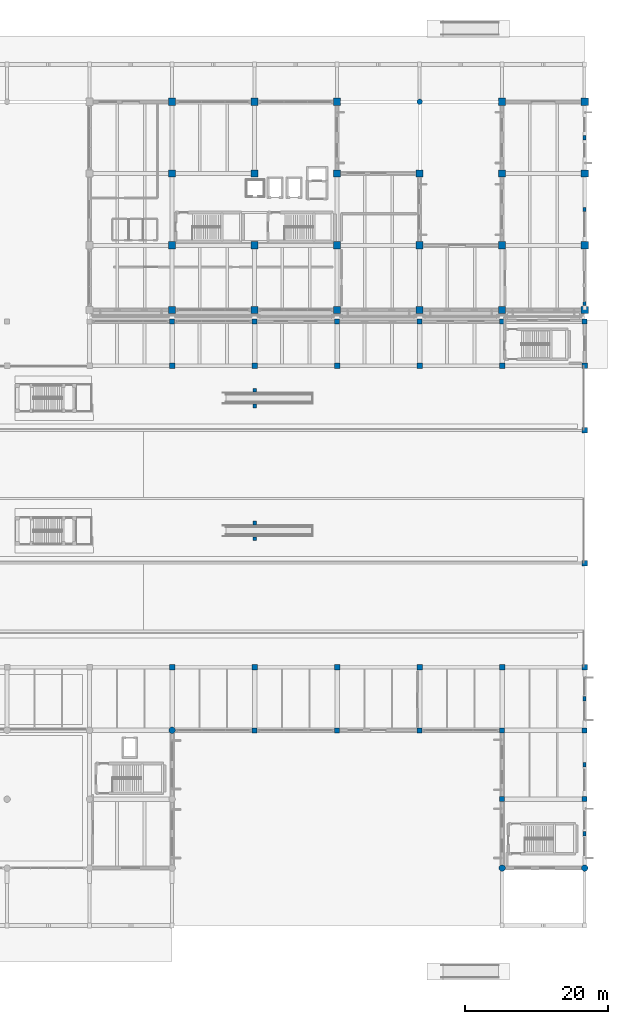
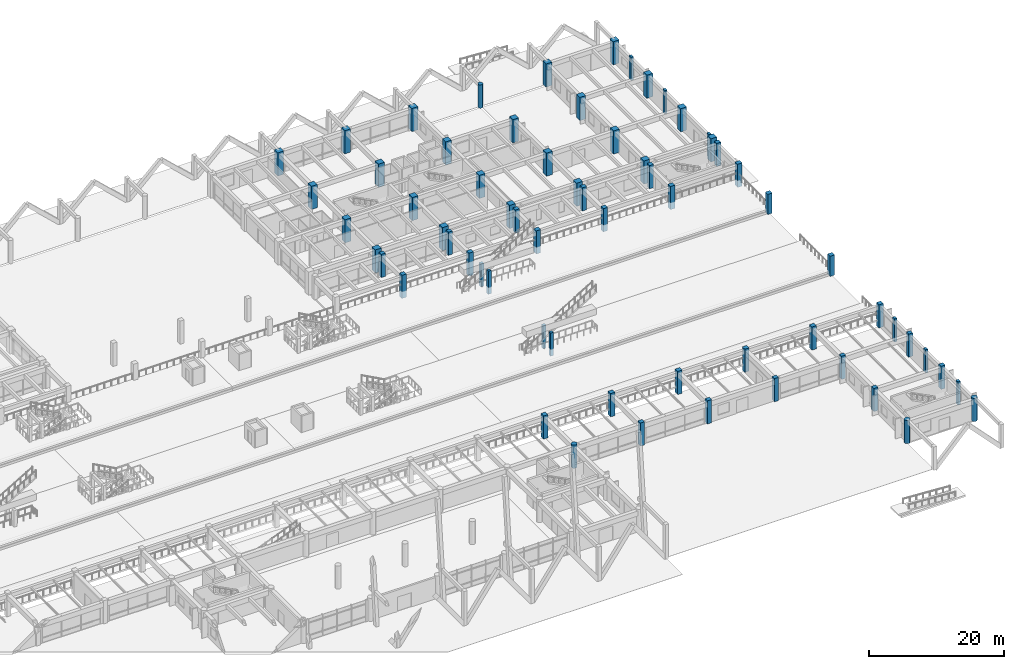
# One storey, part 2 of 109: 64 columns.
"""IFC4 building model written with IfcOpenShell, lengths in metres."""

from ifc_helpers import new_model, si_unit, direction, frame, origin, origin_2d, place, context, subcontext, project, spatial, rectangle, circle, extrude, material, material_profile, profile_set, type_object, element, save


model = new_model("IFC4")

# Units and contexts
model_context = context("Model", 3, precision=1e-05, world=origin(), true_north=direction((0.0, 1.0)))
body_context = subcontext(model_context, "Body", "Model", "MODEL_VIEW")
ifc_project = project(units=[si_unit("LENGTHUNIT", "METRE"), si_unit("AREAUNIT", "SQUARE_METRE"), si_unit("VOLUMEUNIT", "CUBIC_METRE"), si_unit("PLANEANGLEUNIT", "RADIAN"), si_unit("MASSUNIT", "GRAM", prefix="KILO")], contexts=[model_context])

# Site, building, storey
site_placement = place(None, origin())
site = spatial("IfcSite", under=ifc_project, at=site_placement, CompositionType="ELEMENT")
building_placement = place(site_placement, origin())
building = spatial("IfcBuilding", under=site, at=building_placement, Name="Ologun Quay Terminus", CompositionType="ELEMENT")
storey_placement = place(building_placement, origin())
storey = spatial("IfcBuildingStorey", under=building, at=storey_placement, Name="L00", CompositionType="ELEMENT", Elevation=0.0)

# Columns
ifc_material_1 = material(Name="Concrete C40/50", Category="concrete")
ifc_material_profile_1 = material_profile(ifc_material_1, rectangle(XDim=0.5, YDim=0.5, at=origin_2d()), Name="RC 500x500")
ifc_profile_set_1 = profile_set([ifc_material_profile_1], Name="Concrete C40/50")
column_type_1 = type_object("IfcColumnType", Name="Canopy Edge Column 500x500", PredefinedType="COLUMN", material=ifc_profile_set_1)
for number, where, z_axis, x_axis, name in (
    (1, (138.0, 53.89990234375, 0.0), (0.0, 0.0, 1.0), (1.0, 0.0, 0.0), "C8 Concourse Trimmer Column 13-1 L00"),
    (2, (138.0, 56.10009765625, 0.0), (0.0, 0.0, 1.0), (1.0, 0.0, 0.0), "C8 Concourse Trimmer Column 13-2 L00"),
    (3, (138.0, 72.39990234375, 0.0), (0.0, 0.0, 1.0), (1.0, 0.0, 0.0), "C8 Concourse Trimmer Column 13-3 L00"),
    (4, (138.0, 74.60009765625, 0.0), (0.0, 0.0, 1.0), (1.0, 0.0, 0.0), "C8 Concourse Trimmer Column 13-4 L00"),
):
    element("IfcColumn", number, at=place(storey_placement, frame(where, z_axis=z_axis, x_axis=x_axis)), inside=storey, type_object=column_type_1, Name=name, PredefinedType="COLUMN", context=body_context, shape_type="SweptSolid", body=[
        extrude(rectangle(XDim=0.5, YDim=0.5, at=origin_2d()), origin(), (0.0, 0.0, 1.0), 4.199951171875),
    ])
ifc_material_2 = material(Name="Concrete C45/55", Category="concrete")
ifc_material_profile_2 = material_profile(ifc_material_2, rectangle(XDim=1.0, YDim=1.0, at=origin_2d()), Name="RC 1000x1000")
ifc_profile_set_2 = profile_set([ifc_material_profile_2], Name="Concrete C45/55")
column_type_2 = type_object("IfcColumnType", Name="Courtyard Wing Mid-Lower Column 1000x1000", PredefinedType="COLUMN", material=ifc_profile_set_2)
for number, where, z_axis, x_axis, name in (
    (5, (126.5, 85.800048828125, 0.0), (0.0, 0.0, 1.0), (1.0, 0.0, 0.0), "C2 Column 12/G2 L00"),
    (6, (126.5, 94.800048828125, 0.0), (0.0, 0.0, 1.0), (1.0, 0.0, 0.0), "C2 Column 12/H L00"),
    (7, (126.5, 104.800048828125, 0.0), (0.0, 0.0, 1.0), (1.0, 0.0, 0.0), "C2 Column 12/J L00"),
    (8, (126.5, 114.800048828125, 0.0), (0.0, 0.0, 1.0), (1.0, 0.0, 0.0), "C2 Column 12/K L00"),
    (9, (138.0, 85.800048828125, 0.0), (0.0, 0.0, 1.0), (1.0, 0.0, 0.0), "C2 Column 13/G2 L00"),
    (10, (138.0, 94.800048828125, 0.0), (0.0, 0.0, 1.0), (1.0, 0.0, 0.0), "C2 Column 13/H L00"),
    (11, (138.0, 104.800048828125, 0.0), (0.0, 0.0, 1.0), (1.0, 0.0, 0.0), "C2 Column 13/J L00"),
    (12, (138.0, 114.800048828125, 0.0), (0.0, 0.0, 1.0), (1.0, 0.0, 0.0), "C2 Column 13/K L00"),
    (13, (149.5, 85.800048828125, 0.0), (0.0, 0.0, 1.0), (1.0, 0.0, 0.0), "C2 Column 14/G2 L00"),
    (14, (149.5, 94.800048828125, 0.0), (0.0, 0.0, 1.0), (1.0, 0.0, 0.0), "C2 Column 14/H L00"),
    (15, (149.5, 104.800048828125, 0.0), (0.0, 0.0, 1.0), (1.0, 0.0, 0.0), "C2 Column 14/J L00"),
    (16, (149.5, 114.800048828125, 0.0), (0.0, 0.0, 1.0), (1.0, 0.0, 0.0), "C2 Column 14/K L00"),
    (17, (161.0, 85.800048828125, 0.0), (0.0, 0.0, 1.0), (1.0, 0.0, 0.0), "C2 Column 15/G2 L00"),
    (18, (161.0, 94.800048828125, 0.0), (0.0, 0.0, 1.0), (1.0, 0.0, 0.0), "C2 Column 15/H L00"),
    (19, (161.0, 104.800048828125, 0.0), (0.0, 0.0, 1.0), (1.0, 0.0, 0.0), "C2 Column 15/J L00"),
    (20, (172.5, 85.800048828125, 0.0), (0.0, 0.0, 1.0), (1.0, 0.0, 0.0), "C2 Column 16/G2 L00"),
    (21, (172.5, 94.800048828125, 0.0), (0.0, 0.0, 1.0), (1.0, 0.0, 0.0), "C2 Column 16/H L00"),
    (22, (172.5, 104.800048828125, 0.0), (0.0, 0.0, 1.0), (1.0, 0.0, 0.0), "C2 Column 16/J L00"),
    (23, (172.5, 114.800048828125, 0.0), (0.0, 0.0, 1.0), (1.0, 0.0, 0.0), "C2 Column 16/K L00"),
    (24, (184.0, 85.800048828125, 0.0), (0.0, 0.0, 1.0), (1.0, 0.0, 0.0), "C2 Column 17/G2 L00"),
    (25, (184.0, 94.800048828125, 0.0), (0.0, 0.0, 1.0), (1.0, 0.0, 0.0), "C2 Column 17/H L00"),
    (26, (184.0, 104.800048828125, 0.0), (0.0, 0.0, 1.0), (1.0, 0.0, 0.0), "C2 Column 17/J L00"),
    (27, (184.0, 114.800048828125, 0.0), (0.0, 0.0, 1.0), (1.0, 0.0, 0.0), "C2 Column 17/K L00"),
):
    element("IfcColumn", number, at=place(storey_placement, frame(where, z_axis=z_axis, x_axis=x_axis)), inside=storey, type_object=column_type_2, Name=name, PredefinedType="COLUMN", context=body_context, shape_type="SweptSolid", body=[
        extrude(rectangle(XDim=1.0, YDim=1.0, at=origin_2d()), origin(), (0.0, 0.0, 1.0), 4.199951171875),
    ])
ifc_material_3 = material(Name="Concrete C40/50", Category="concrete")
ifc_material_profile_3 = material_profile(ifc_material_3, rectangle(XDim=0.39990234375, YDim=0.60009765625, at=origin_2d()), Name="RC 400x600")
ifc_profile_set_3 = profile_set([ifc_material_profile_3], Name="Concrete C40/50")
column_type_3 = type_object("IfcColumnType", Name="Podium Engaged Pilaster 400x600", PredefinedType="PILASTER", material=ifc_profile_set_3)
for number, where, z_axis, x_axis, name in (
    (28, (184.0, 12.800048828125, 0.0), (0.0, 0.0, 1.0), (1.0, 0.0, 0.0), "PL1 Engaged Pilaster E1"),
    (29, (184.0, 22.39990234375, 0.0), (0.0, 0.0, 1.0), (1.0, 0.0, 0.0), "PL1 Engaged Pilaster E2"),
    (30, (184.0, 31.60009765625, 0.0), (0.0, 0.0, 1.0), (1.0, 0.0, 0.0), "PL1 Engaged Pilaster E3"),
    (31, (184.0, 86.699951171875, 0.0), (0.0, 0.0, 1.0), (1.0, 0.0, 0.0), "PL1 Engaged Pilaster E4"),
    (32, (184.0, 99.800048828125, 0.0), (0.0, 0.0, 1.0), (1.0, 0.0, 0.0), "PL1 Engaged Pilaster E5"),
    (33, (184.0, 109.800048828125, 0.0), (0.0, 0.0, 1.0), (1.0, 0.0, 0.0), "PL1 Engaged Pilaster E6"),
):
    element("IfcColumn", number, at=place(storey_placement, frame(where, z_axis=z_axis, x_axis=x_axis)), inside=storey, type_object=column_type_3, Name=name, PredefinedType="PILASTER", context=body_context, shape_type="SweptSolid", body=[
        extrude(rectangle(XDim=0.39990234375, YDim=0.60009765625, at=origin_2d()), origin(), (0.0, 0.0, 1.0), 4.199951171875),
    ])
ifc_material_4 = material(Name="Concrete C40/50", Category="concrete")
ifc_material_profile_4 = material_profile(ifc_material_4, circle(Radius=0.375, at=origin_2d()), Name="RC D750")
ifc_profile_set_4 = profile_set([ifc_material_profile_4], Name="Concrete C40/50")
column_type_4 = type_object("IfcColumnType", Name="Promenade Colonnade Circular Column D750", PredefinedType="COLUMN", material=ifc_profile_set_4)
column_placement = place(storey_placement, frame((161.0, 114.800048828125, 0.0), z_axis=(0.0, 0.0, 1.0), x_axis=(1.0, 0.0, 0.0)))
element("IfcColumn", 34, at=column_placement, inside=storey, type_object=column_type_4, Name="C10 Harbour Colonnade Rear Column 15/K", PredefinedType="COLUMN", context=body_context, shape_type="SweptSolid", body=[
    extrude(circle(Radius=0.375, at=origin_2d()), origin(), (0.0, 0.0, 1.0), 4.219970703125),
])
ifc_material_5 = material(Name="Concrete C45/55", Category="concrete")
ifc_material_profile_5 = material_profile(ifc_material_5, rectangle(XDim=0.75, YDim=0.75, at=origin_2d()), Name="RC 750x750")
ifc_profile_set_5 = profile_set([ifc_material_profile_5], Name="Concrete C45/55")
column_type_5 = type_object("IfcColumnType", Name="Station Arch Pier Stem 750x750", PredefinedType="COLUMN", material=ifc_profile_set_5)
for number, where, z_axis, x_axis, name in (
    (35, (126.5, 36.0, 0.0), (0.0, 0.0, 1.0), (1.0, 0.0, 0.0), "C5 Column 12/E L00"),
    (36, (126.5, 78.0, 0.0), (0.0, 0.0, 1.0), (1.0, 0.0, 0.0), "C5 Column 12/F L00"),
    (37, (138.0, 36.0, 0.0), (0.0, 0.0, 1.0), (1.0, 0.0, 0.0), "C5 Column 13/E L00"),
    (38, (138.0, 78.0, 0.0), (0.0, 0.0, 1.0), (1.0, 0.0, 0.0), "C5 Column 13/F L00"),
    (39, (149.5, 36.0, 0.0), (0.0, 0.0, 1.0), (1.0, 0.0, 0.0), "C5 Column 14/E L00"),
    (40, (149.5, 78.0, 0.0), (0.0, 0.0, 1.0), (1.0, 0.0, 0.0), "C5 Column 14/F L00"),
    (41, (161.0, 36.0, 0.0), (0.0, 0.0, 1.0), (1.0, 0.0, 0.0), "C5 Column 15/E L00"),
    (42, (161.0, 78.0, 0.0), (0.0, 0.0, 1.0), (1.0, 0.0, 0.0), "C5 Column 15/F L00"),
    (43, (172.5, 36.0, 0.0), (0.0, 0.0, 1.0), (1.0, 0.0, 0.0), "C5 Column 16/E L00"),
    (44, (172.5, 78.0, 0.0), (0.0, 0.0, 1.0), (1.0, 0.0, 0.0), "C5 Column 16/F L00"),
    (45, (184.0, 36.0, 0.0), (0.0, 0.0, 1.0), (1.0, 0.0, 0.0), "C5 Column 17/E L00"),
    (46, (184.0, 78.0, 0.0), (0.0, 0.0, 1.0), (1.0, 0.0, 0.0), "C5 Column 17/F L00"),
):
    element("IfcColumn", number, at=place(storey_placement, frame(where, z_axis=z_axis, x_axis=x_axis)), inside=storey, type_object=column_type_5, Name=name, PredefinedType="COLUMN", context=body_context, shape_type="SweptSolid", body=[
        extrude(rectangle(XDim=0.75, YDim=0.75, at=origin_2d()), origin(), (0.0, 0.0, 1.0), 4.199951171875),
    ])
for number, where, z_axis, x_axis, name in (
    (47, (184.0, 50.5, 0.550048828125), (0.0, 0.0, 1.0), (1.0, 0.0, 0.0), "C5 Gable Mullion Column 17-Y50 L00"),
    (48, (184.0, 69.0, 0.550048828125), (0.0, 0.0, 1.0), (1.0, 0.0, 0.0), "C5 Gable Mullion Column 17-Y69 L00"),
):
    element("IfcColumn", number, at=place(storey_placement, frame(where, z_axis=z_axis, x_axis=x_axis)), inside=storey, type_object=column_type_5, Name=name, PredefinedType="COLUMN", context=body_context, shape_type="SweptSolid", body=[
        extrude(rectangle(XDim=0.75, YDim=0.75, at=origin_2d()), origin(), (0.0, 0.0, 1.0), 3.64990234375),
    ])
ifc_material_6 = material(Name="Concrete C40/50", Category="concrete")
ifc_material_profile_6 = material_profile(ifc_material_6, rectangle(XDim=0.699951171875, YDim=0.699951171875, at=origin_2d()), Name="RC 700x700")
ifc_profile_set_6 = profile_set([ifc_material_profile_6], Name="Concrete C40/50")
column_type_6 = type_object("IfcColumnType", Name="Station Concourse Column 700x700", PredefinedType="COLUMN", material=ifc_profile_set_6)
for number, where, z_axis, x_axis, name in (
    (49, (126.5, 84.199951171875, 0.0), (0.0, 0.0, 1.0), (1.0, 0.0, 0.0), "C6 Column 12/G1 L00"),
    (50, (138.0, 27.199951171875, 0.0), (0.0, 0.0, 1.0), (1.0, 0.0, 0.0), "C6 Column 13/D L00"),
    (51, (138.0, 84.199951171875, 0.0), (0.0, 0.0, 1.0), (1.0, 0.0, 0.0), "C6 Column 13/G1 L00"),
    (52, (149.5, 27.199951171875, 0.0), (0.0, 0.0, 1.0), (1.0, 0.0, 0.0), "C6 Column 14/D L00"),
    (53, (149.5, 84.199951171875, 0.0), (0.0, 0.0, 1.0), (1.0, 0.0, 0.0), "C6 Column 14/G1 L00"),
    (54, (161.0, 27.199951171875, 0.0), (0.0, 0.0, 1.0), (1.0, 0.0, 0.0), "C6 Column 15/D L00"),
    (55, (161.0, 84.199951171875, 0.0), (0.0, 0.0, 1.0), (1.0, 0.0, 0.0), "C6 Column 15/G1 L00"),
    (56, (172.5, 17.60009765625, 0.0), (0.0, 0.0, 1.0), (1.0, 0.0, 0.0), "C6 Column 16/C L00"),
    (57, (172.5, 27.199951171875, 0.0), (0.0, 0.0, 1.0), (1.0, 0.0, 0.0), "C6 Column 16/D L00"),
    (58, (172.5, 84.199951171875, 0.0), (0.0, 0.0, 1.0), (1.0, 0.0, 0.0), "C6 Column 16/G1 L00"),
    (59, (184.0, 17.60009765625, 0.0), (0.0, 0.0, 1.0), (1.0, 0.0, 0.0), "C6 Column 17/C L00"),
    (60, (184.0, 27.199951171875, 0.0), (0.0, 0.0, 1.0), (1.0, 0.0, 0.0), "C6 Column 17/D L00"),
    (61, (184.0, 84.199951171875, 0.0), (0.0, 0.0, 1.0), (1.0, 0.0, 0.0), "C6 Column 17/G1 L00"),
):
    element("IfcColumn", number, at=place(storey_placement, frame(where, z_axis=z_axis, x_axis=x_axis)), inside=storey, type_object=column_type_6, Name=name, PredefinedType="COLUMN", context=body_context, shape_type="SweptSolid", body=[
        extrude(rectangle(XDim=0.699951171875, YDim=0.699951171875, at=origin_2d()), origin(), (0.0, 0.0, 1.0), 4.199951171875),
    ])
ifc_material_7 = material(Name="Concrete C45/55", Category="concrete")
ifc_material_profile_7 = material_profile(ifc_material_7, circle(Radius=0.449951171875, at=origin_2d()), Name="RC D900")
ifc_profile_set_7 = profile_set([ifc_material_profile_7], Name="Concrete C45/55")
column_type_7 = type_object("IfcColumnType", Name="Ticket Hall Sculpted Circular Column D900", PredefinedType="COLUMN", material=ifc_profile_set_7)
for number, where, z_axis, x_axis, name in (
    (62, (126.5, 27.199951171875, 0.0), (0.0, 0.0, 1.0), (1.0, 0.0, 0.0), "C9 Column 12/D L00"),
    (63, (172.5, 8.0, 0.0), (0.0, 0.0, 1.0), (1.0, 0.0, 0.0), "C9 Column 16/B L00"),
    (64, (184.0, 8.0, 0.0), (0.0, 0.0, 1.0), (1.0, 0.0, 0.0), "C9 Column 17/B L00"),
):
    element("IfcColumn", number, at=place(storey_placement, frame(where, z_axis=z_axis, x_axis=x_axis)), inside=storey, type_object=column_type_7, Name=name, PredefinedType="COLUMN", context=body_context, shape_type="SweptSolid", body=[
        extrude(circle(Radius=0.449951171875, at=origin_2d()), origin(), (0.0, 0.0, 1.0), 4.199951171875),
    ])

save(model, "model.ifc")
